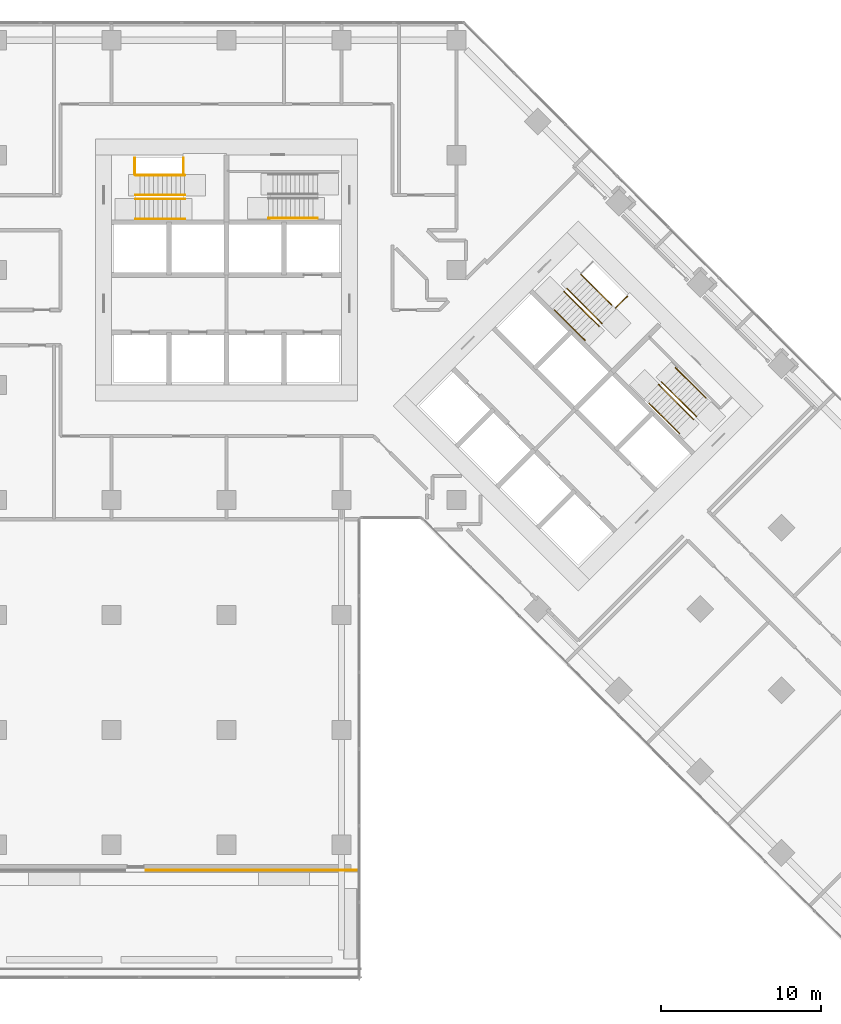
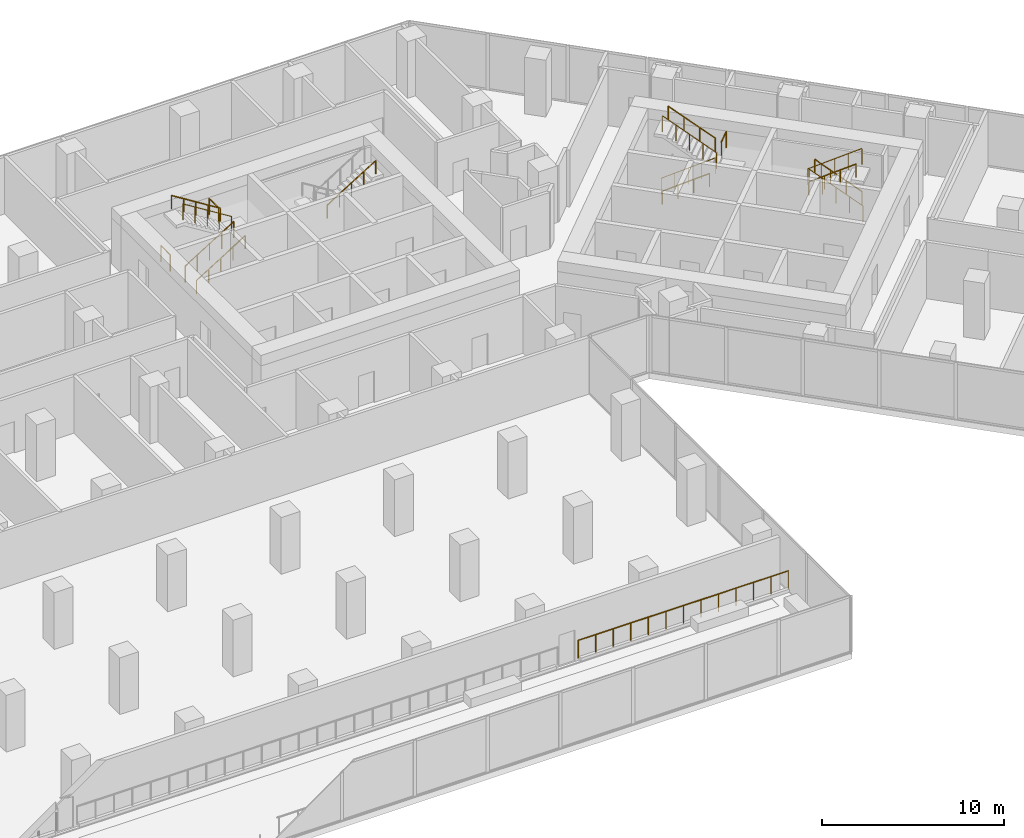
# One storey, part 26 of 27: 17 railings.
"""IFC4 building model written with IfcOpenShell, lengths in metres."""

import ifcopenshell
import ifcopenshell.guid

model = None  # the IFC model being written
_history = None  # IfcOwnerHistory: only IFC2X3 demands one
_inside = {}  # id of a spatial element -> (the spatial element, [elements in it])
_under = {}  # id of a project, library or spatial element -> (it, [spatial elements below it])
_declared = {}  # id of a project -> (the project, [libraries it declares])
_typed = {}  # id of a type object -> (the type object, [elements of that type])
_made_of = {}  # id of a material, layer set ... -> (it, [elements and type objects made of it])


def new_model(schema):
    """Start an empty IFC model of exactly this schema.

    Asked for "IFC4X3", IfcOpenShell would pick the latest addendum, in which some entities
    have other attributes; the version numbers below select the first issue.
    IFC2X3 requires an IfcOwnerHistory on every rooted entity: one is made here for all.
    """
    global model, _history
    if schema == "IFC4X3":
        model = ifcopenshell.file(schema_version=(4, 3, 0, 0))
    else:
        model = ifcopenshell.file(schema=schema)
    _inside.clear()
    _under.clear()
    _declared.clear()
    _typed.clear()
    _made_of.clear()
    _history = None
    if model.schema == "IFC2X3":
        org = make("IfcOrganization", Name="unknown")
        user = make(
            "IfcPersonAndOrganization",
            ThePerson=make("IfcPerson", FamilyName="unknown"),
            TheOrganization=org,
        )
        app = make(
            "IfcApplication",
            ApplicationDeveloper=org,
            Version="unknown",
            ApplicationFullName="unknown",
            ApplicationIdentifier="unknown",
        )
        _history = make(
            "IfcOwnerHistory",
            OwningUser=user,
            OwningApplication=app,
            ChangeAction="ADDED",
            CreationDate=0,
        )
    return model


def make(cls, **values):
    """One entity of the class cls with the attributes given. An attribute that is None is left unset."""
    return model.create_entity(
        cls, **{name: value for name, value in values.items() if value is not None}
    )


def rooted(cls, **values):
    """An entity with a GlobalId (a new one), such as an element, a storey or a relation."""
    return make(cls, GlobalId=ifcopenshell.guid.new(), OwnerHistory=_history, **values)


def si_unit(unit_type, name, prefix=None):
    """IfcSIUnit, for example si_unit("LENGTHUNIT", "METRE", prefix="MILLI")."""
    return make("IfcSIUnit", UnitType=unit_type, Prefix=prefix, Name=name)


def assignment(units):
    """IfcUnitAssignment: the units of a project."""
    return None if units is None else make("IfcUnitAssignment", Units=units)


def point(xyz):
    """IfcCartesianPoint."""
    return None if xyz is None else make("IfcCartesianPoint", Coordinates=xyz)


def direction(xyz):
    """IfcDirection."""
    return None if xyz is None else make("IfcDirection", DirectionRatios=xyz)


def frame(location, z_axis=None, x_axis=None):
    """IfcAxis2Placement3D, a coordinate frame: its origin and axes. An axis left out is left unset."""
    return make(
        "IfcAxis2Placement3D",
        Location=point(location),
        Axis=direction(z_axis),
        RefDirection=direction(x_axis),
    )


def frame_2d(location, x_axis=None):
    """IfcAxis2Placement2D, a coordinate frame in the plane: its origin and x axis."""
    return make(
        "IfcAxis2Placement2D", Location=point(location), RefDirection=direction(x_axis)
    )


def origin():
    """The frame at (0, 0, 0) with its axes left unset."""
    return frame((0.0, 0.0, 0.0))


def origin_2d():
    """The frame at (0, 0) in the plane with its x axis left unset."""
    return frame_2d((0.0, 0.0))


def place(relative_to, where):
    """IfcLocalPlacement: puts the frame where relative to a parent placement (None: the world)."""
    return make(
        "IfcLocalPlacement", PlacementRelTo=relative_to, RelativePlacement=where
    )


def context(
    kind, dimensions, precision=None, world=None, true_north=None, identifier=None
):
    """IfcGeometricRepresentationContext, for example the 3D "Model" context."""
    return make(
        "IfcGeometricRepresentationContext",
        ContextIdentifier=identifier,
        ContextType=kind,
        CoordinateSpaceDimension=dimensions,
        Precision=precision,
        WorldCoordinateSystem=world,
        TrueNorth=true_north,
    )


def subcontext(parent, identifier, kind, view, scale=None):
    """IfcGeometricRepresentationSubContext, for example "Body" below "Model"."""
    return make(
        "IfcGeometricRepresentationSubContext",
        ContextIdentifier=identifier,
        ContextType=kind,
        ParentContext=parent,
        TargetScale=scale,
        TargetView=view,
    )


def project(units=None, contexts=None):
    """IfcProject with its units and contexts."""
    return rooted(
        "IfcProject",
        Name="project",
        RepresentationContexts=contexts,
        UnitsInContext=assignment(units),
    )


def spatial(cls, under=None, at=None, **own):
    """A site, building, storey or space (cls), placed at a placement, below another one or the project."""
    s = rooted(cls, ObjectPlacement=at, **own)
    if under is not None:
        _under.setdefault(under.id(), (under, []))[1].append(s)
    return s


def profile(cls, at=None, kind="AREA", **sizes):
    """A parametric profile (cls). Its sizes go by their IFC names, for example OverallWidth=200.0."""
    return make(cls, ProfileType=kind, Position=at, **sizes)


def circle(**sizes):
    """IfcCircleProfileDef."""
    return profile("IfcCircleProfileDef", **sizes)


def extrude(swept, where, along, depth):
    """IfcExtrudedAreaSolid: the profile swept, set in the frame where, extruded along a direction by depth."""
    return make(
        "IfcExtrudedAreaSolid",
        SweptArea=swept,
        Position=where,
        ExtrudedDirection=direction(along),
        Depth=depth,
    )


def shape(context_of_items, identifier, shape_type, items):
    """IfcShapeRepresentation: the items that make up one representation, for example the "Body"."""
    return make(
        "IfcShapeRepresentation",
        ContextOfItems=context_of_items,
        RepresentationIdentifier=identifier,
        RepresentationType=shape_type,
        Items=items,
    )


def material(Name=None, Category=None):
    """IfcMaterial."""
    return make("IfcMaterial", Name=Name, Category=Category)


def made_of(thing, what):
    """Note that an element or type object is made of a material, layer set ...; save() writes the relation."""
    if what is not None:
        _made_of.setdefault(what.id(), (what, []))[1].append(thing)
    return thing


def type_object(cls, material=None, **own):
    """A type object (cls), such as IfcWallType, which elements share."""
    return made_of(rooted(cls, **own), material)


def element(
    cls,
    number,
    at=None,
    inside=None,
    cuts=None,
    type_object=None,
    material=None,
    context=None,
    identifier="Body",
    shape_type=None,
    held_by="IfcProductDefinitionShape",
    body=None,
    shapes=None,
    **own,
):
    """One element of the class cls, such as IfcWall. Its Tag is "e" and its number.

    at: its placement. inside: the storey or other place that contains it. cuts: it is an
    opening in that element (IfcRelVoidsElement). A single representation is given by context,
    identifier, shape_type and body (its items); several are given by shapes. held_by: the class
    of the entity that holds the representations. save() writes the other relations.
    """
    e = rooted(cls, Tag="e%d" % number, ObjectPlacement=at, **own)
    if body is not None:
        shapes = [shape(context, identifier, shape_type, body)]
    if shapes is not None:
        e.Representation = make(held_by, Representations=shapes)
    if inside is not None:
        _inside.setdefault(inside.id(), (inside, []))[1].append(e)
    if cuts is not None:
        rooted(
            "IfcRelVoidsElement", RelatingBuildingElement=cuts, RelatedOpeningElement=e
        )
    if type_object is not None:
        _typed.setdefault(type_object.id(), (type_object, []))[1].append(e)
    return made_of(e, material)


def aggregate(whole, parts):
    """IfcRelAggregates: a whole, such as a stair, and the parts it consists of."""
    return rooted("IfcRelAggregates", RelatingObject=whole, RelatedObjects=parts)


def save(model, path):
    """Write the relations noted so far, then the file.

    IfcRelAggregates (storeys below a building ...), IfcRelContainedInSpatialStructure (elements
    in a storey), IfcRelDefinesByType, IfcRelAssociatesMaterial and IfcRelDeclares: one each for
    every whole, place, type object, material and project.
    """
    for whole, parts in _under.values():
        aggregate(whole, parts)
    for where, things in _inside.values():
        rooted(
            "IfcRelContainedInSpatialStructure",
            RelatedElements=things,
            RelatingStructure=where,
        )
    for kind, things in _typed.values():
        rooted("IfcRelDefinesByType", RelatedObjects=things, RelatingType=kind)
    for what, things in _made_of.values():
        rooted("IfcRelAssociatesMaterial", RelatedObjects=things, RelatingMaterial=what)
    for by, libraries in _declared.values():
        rooted("IfcRelDeclares", RelatingContext=by, RelatedDefinitions=libraries)
    model.write(path)


model = new_model("IFC4")

# Units and contexts
model_context = context("Model", 3, precision=1e-05, world=origin(), true_north=direction((0.0, 1.0)))
body_context = subcontext(model_context, "Body", "Model", "MODEL_VIEW")
ifc_project = project(units=[si_unit("LENGTHUNIT", "METRE"), si_unit("AREAUNIT", "SQUARE_METRE"), si_unit("VOLUMEUNIT", "CUBIC_METRE"), si_unit("PLANEANGLEUNIT", "RADIAN"), si_unit("MASSUNIT", "GRAM", prefix="KILO")], contexts=[model_context])

# Site, building, storey
site_placement = place(None, origin())
site = spatial("IfcSite", under=ifc_project, at=site_placement, CompositionType="ELEMENT")
building_placement = place(site_placement, origin())
building = spatial("IfcBuilding", under=site, at=building_placement, Name="Windrow Commons", CompositionType="ELEMENT")
storey_placement = place(building_placement, frame((0.0, 0.0, 6.0)))
storey = spatial("IfcBuildingStorey", under=building, at=storey_placement, Name="L01", CompositionType="ELEMENT", Elevation=6.0)

# Railings
ifc_material_1 = material(Name="Steel S355", Category="steel")
railing_type_1 = type_object("IfcRailingType", Name="Core stair guard 1100", PredefinedType="GUARDRAIL", material=ifc_material_1)
railing_1_placement = place(storey_placement, frame((59.1, 62.05, 0.175)))
element("IfcRailing", 1, at=railing_1_placement, inside=storey, type_object=railing_type_1, Name="L01 ST-A1 stair guard 1", PredefinedType="GUARDRAIL", context=body_context, shape_type="SweptSolid", body=[
    extrude(circle(Radius=0.024, at=origin_2d()), frame((0.0, 0.0, 1.076), z_axis=(0.847998304, 0.0, 0.52999894), x_axis=(0.0, 1.0, 0.0)), (0.0, 0.0, 1.0), 3.6321),
    extrude(circle(Radius=0.021, at=origin_2d()), origin(), (0.0, 0.0, 1.0), 1.052),
    extrude(circle(Radius=0.021, at=origin_2d()), frame((0.77, 0.0, 0.4812)), (0.0, 0.0, 1.0), 1.052),
    extrude(circle(Radius=0.021, at=origin_2d()), frame((1.54, 0.0, 0.9625)), (0.0, 0.0, 1.0), 1.052),
    extrude(circle(Radius=0.021, at=origin_2d()), frame((2.31, 0.0, 1.4437)), (0.0, 0.0, 1.0), 1.052),
    extrude(circle(Radius=0.021, at=origin_2d()), frame((3.08, 0.0, 1.925)), (0.0, 0.0, 1.0), 1.052),
])
railing_2_placement = place(storey_placement, frame((62.18, 62.3, 2.275)))
element("IfcRailing", 2, at=railing_2_placement, inside=storey, type_object=railing_type_1, Name="L01 ST-A1 stair guard 2", PredefinedType="GUARDRAIL", context=body_context, shape_type="SweptSolid", body=[
    extrude(circle(Radius=0.024, at=origin_2d()), frame((0.0, 0.0, 1.076), z_axis=(-0.847998304, 0.0, 0.52999894), x_axis=(0.0, -1.0, 0.0)), (0.0, 0.0, 1.0), 3.6321),
    extrude(circle(Radius=0.021, at=origin_2d()), origin(), (0.0, 0.0, 1.0), 1.052),
    extrude(circle(Radius=0.021, at=origin_2d()), frame((-0.77, 0.0, 0.4812)), (0.0, 0.0, 1.0), 1.052),
    extrude(circle(Radius=0.021, at=origin_2d()), frame((-1.54, 0.0, 0.9625)), (0.0, 0.0, 1.0), 1.052),
    extrude(circle(Radius=0.021, at=origin_2d()), frame((-2.31, 0.0, 1.4437)), (0.0, 0.0, 1.0), 1.052),
    extrude(circle(Radius=0.021, at=origin_2d()), frame((-3.08, 0.0, 1.925)), (0.0, 0.0, 1.0), 1.052),
])
for number, where, name in (
    (3, (59.05, 63.6, 0.0), "L01 ST-A1 stair guard 3"),
    (4, (62.11, 63.6, 2.1), "L01 ST-A1 stair guard 4"),
):
    element("IfcRailing", number, at=place(storey_placement, frame(where)), inside=storey, type_object=railing_type_1, Name=name, PredefinedType="GUARDRAIL", context=body_context, shape_type="SweptSolid", body=[
        extrude(circle(Radius=0.024, at=origin_2d()), frame((0.0, 0.0, 1.076), z_axis=(0.0, 1.0, 0.0), x_axis=(-1.0, 0.0, 0.0)), (0.0, 0.0, 1.0), 1.03),
        extrude(circle(Radius=0.021, at=origin_2d()), origin(), (0.0, 0.0, 1.0), 1.052),
        extrude(circle(Radius=0.021, at=origin_2d()), frame((0.0, 1.03, 0.0)), (0.0, 0.0, 1.0), 1.052),
    ])
railing_3_placement = place(storey_placement, frame((85.9529, 56.2669, 0.175)))
element("IfcRailing", 5, at=railing_3_placement, inside=storey, type_object=railing_type_1, Name="L01 ST-B1 stair guard 1", PredefinedType="GUARDRAIL", context=body_context, shape_type="SweptSolid", body=[
    extrude(circle(Radius=0.024, at=origin_2d()), frame((0.0, 0.0, 1.076), z_axis=(0.5996262107, -0.5996262107, 0.5299969951), x_axis=(0.7071067812, 0.7071067812, 0.0)), (0.0, 0.0, 1.0), 3.6321),
    extrude(circle(Radius=0.021, at=origin_2d()), origin(), (0.0, 0.0, 1.0), 1.052),
    extrude(circle(Radius=0.021, at=origin_2d()), frame((0.5445, -0.5445, 0.4812)), (0.0, 0.0, 1.0), 1.052),
    extrude(circle(Radius=0.021, at=origin_2d()), frame((1.0889, -1.089, 0.9625)), (0.0, 0.0, 1.0), 1.052),
    extrude(circle(Radius=0.021, at=origin_2d()), frame((1.6334, -1.6334, 1.4437)), (0.0, 0.0, 1.0), 1.052),
    extrude(circle(Radius=0.021, at=origin_2d()), frame((2.1779, -2.1779, 1.925)), (0.0, 0.0, 1.0), 1.052),
])
railing_4_placement = place(storey_placement, frame((88.3075, 54.2658, 2.275)))
element("IfcRailing", 6, at=railing_4_placement, inside=storey, type_object=railing_type_1, Name="L01 ST-B1 stair guard 2", PredefinedType="GUARDRAIL", context=body_context, shape_type="SweptSolid", body=[
    extrude(circle(Radius=0.024, at=origin_2d()), frame((0.0, 0.0, 1.076), z_axis=(-0.5996262107, 0.5996262107, 0.5299969951), x_axis=(-0.7071067812, -0.7071067812, 0.0)), (0.0, 0.0, 1.0), 3.6321),
    extrude(circle(Radius=0.021, at=origin_2d()), origin(), (0.0, 0.0, 1.0), 1.052),
    extrude(circle(Radius=0.021, at=origin_2d()), frame((-0.5445, 0.5445, 0.4812)), (0.0, 0.0, 1.0), 1.052),
    extrude(circle(Radius=0.021, at=origin_2d()), frame((-1.089, 1.089, 0.9625)), (0.0, 0.0, 1.0), 1.052),
    extrude(circle(Radius=0.021, at=origin_2d()), frame((-1.6334, 1.6334, 1.4437)), (0.0, 0.0, 1.0), 1.052),
    extrude(circle(Radius=0.021, at=origin_2d()), frame((-2.1779, 2.1779, 1.925)), (0.0, 0.0, 1.0), 1.052),
])
railing_5_placement = place(storey_placement, frame((89.1773, 55.2345, 2.1)))
element("IfcRailing", 7, at=railing_5_placement, inside=storey, type_object=railing_type_1, Name="L01 ST-B1 stair guard 4", PredefinedType="GUARDRAIL", context=body_context, shape_type="SweptSolid", body=[
    extrude(circle(Radius=0.024, at=origin_2d()), frame((0.0, 0.0, 1.076), z_axis=(0.7071067812, 0.7071067812, 0.0), x_axis=(-0.7071067812, 0.7071067812, 0.0)), (0.0, 0.0, 1.0), 1.03),
    extrude(circle(Radius=0.021, at=origin_2d()), origin(), (0.0, 0.0, 1.0), 1.052),
    extrude(circle(Radius=0.021, at=origin_2d()), frame((0.7283, 0.7283, 0.0)), (0.0, 0.0, 1.0), 1.052),
])
railing_6_placement = place(storey_placement, frame((94.2296, 48.4215, 0.175)))
element("IfcRailing", 8, at=railing_6_placement, inside=storey, type_object=railing_type_1, Name="L01 ST-B2 stair guard 1", PredefinedType="GUARDRAIL", context=body_context, shape_type="SweptSolid", body=[
    extrude(circle(Radius=0.024, at=origin_2d()), frame((0.0, 0.0, 1.076), z_axis=(-0.5996262107, 0.5996262107, 0.5299969951), x_axis=(-0.7071067812, -0.7071067812, 0.0)), (0.0, 0.0, 1.0), 3.6321),
    extrude(circle(Radius=0.021, at=origin_2d()), origin(), (0.0, 0.0, 1.0), 1.052),
    extrude(circle(Radius=0.021, at=origin_2d()), frame((-0.5445, 0.5445, 0.4812)), (0.0, 0.0, 1.0), 1.052),
    extrude(circle(Radius=0.021, at=origin_2d()), frame((-1.089, 1.089, 0.9625)), (0.0, 0.0, 1.0), 1.052),
    extrude(circle(Radius=0.021, at=origin_2d()), frame((-1.6334, 1.6334, 1.4437)), (0.0, 0.0, 1.0), 1.052),
    extrude(circle(Radius=0.021, at=origin_2d()), frame((-2.1779, 2.1779, 1.925)), (0.0, 0.0, 1.0), 1.052),
])
railing_7_placement = place(storey_placement, frame((91.8749, 50.4226, 2.275)))
element("IfcRailing", 9, at=railing_7_placement, inside=storey, type_object=railing_type_1, Name="L01 ST-B2 stair guard 2", PredefinedType="GUARDRAIL", context=body_context, shape_type="SweptSolid", body=[
    extrude(circle(Radius=0.024, at=origin_2d()), frame((0.0, 0.0, 1.076), z_axis=(0.5996262107, -0.5996262107, 0.5299969951), x_axis=(0.7071067812, 0.7071067812, 0.0)), (0.0, 0.0, 1.0), 3.6321),
    extrude(circle(Radius=0.021, at=origin_2d()), origin(), (0.0, 0.0, 1.0), 1.052),
    extrude(circle(Radius=0.021, at=origin_2d()), frame((0.5445, -0.5445, 0.4812)), (0.0, 0.0, 1.0), 1.052),
    extrude(circle(Radius=0.021, at=origin_2d()), frame((1.089, -1.089, 0.9625)), (0.0, 0.0, 1.0), 1.052),
    extrude(circle(Radius=0.021, at=origin_2d()), frame((1.6334, -1.6334, 1.4437)), (0.0, 0.0, 1.0), 1.052),
    extrude(circle(Radius=0.021, at=origin_2d()), frame((2.1779, -2.1779, 1.925)), (0.0, 0.0, 1.0), 1.052),
])
ifc_material_2 = material(Name="Steel S355", Category="steel")
railing_type_2 = type_object("IfcRailingType", Name="Core stair handrail 900", PredefinedType="HANDRAIL", material=ifc_material_2)
railing_8_placement = place(storey_placement, frame((59.1, 60.8, 0.175)))
element("IfcRailing", 10, at=railing_8_placement, inside=storey, type_object=railing_type_2, Name="L01 ST-A1 stair handrail 1", PredefinedType="HANDRAIL", context=body_context, shape_type="SweptSolid", body=[
    extrude(circle(Radius=0.024, at=origin_2d()), frame((0.0, 0.0, 0.876), z_axis=(0.847998304, 0.0, 0.52999894), x_axis=(0.0, 1.0, 0.0)), (0.0, 0.0, 1.0), 3.6321),
    extrude(circle(Radius=0.021, at=origin_2d()), origin(), (0.0, 0.0, 1.0), 0.852),
    extrude(circle(Radius=0.021, at=origin_2d()), frame((0.77, 0.0, 0.4812)), (0.0, 0.0, 1.0), 0.852),
    extrude(circle(Radius=0.021, at=origin_2d()), frame((1.54, 0.0, 0.9625)), (0.0, 0.0, 1.0), 0.852),
    extrude(circle(Radius=0.021, at=origin_2d()), frame((2.31, 0.0, 1.4437)), (0.0, 0.0, 1.0), 0.852),
    extrude(circle(Radius=0.021, at=origin_2d()), frame((3.08, 0.0, 1.925)), (0.0, 0.0, 1.0), 0.852),
])
railing_9_placement = place(storey_placement, frame((62.18, 63.55, 2.275)))
element("IfcRailing", 11, at=railing_9_placement, inside=storey, type_object=railing_type_2, Name="L01 ST-A1 stair handrail 2", PredefinedType="HANDRAIL", context=body_context, shape_type="SweptSolid", body=[
    extrude(circle(Radius=0.024, at=origin_2d()), frame((0.0, 0.0, 0.876), z_axis=(-0.847998304, 0.0, 0.52999894), x_axis=(0.0, -1.0, 0.0)), (0.0, 0.0, 1.0), 3.6321),
    extrude(circle(Radius=0.021, at=origin_2d()), origin(), (0.0, 0.0, 1.0), 0.852),
    extrude(circle(Radius=0.021, at=origin_2d()), frame((-0.77, 0.0, 0.4812)), (0.0, 0.0, 1.0), 0.852),
    extrude(circle(Radius=0.021, at=origin_2d()), frame((-1.54, 0.0, 0.9625)), (0.0, 0.0, 1.0), 0.852),
    extrude(circle(Radius=0.021, at=origin_2d()), frame((-2.31, 0.0, 1.4437)), (0.0, 0.0, 1.0), 0.852),
    extrude(circle(Radius=0.021, at=origin_2d()), frame((-3.08, 0.0, 1.925)), (0.0, 0.0, 1.0), 0.852),
])
railing_10_placement = place(storey_placement, frame((67.42, 60.855, 2.275)))
element("IfcRailing", 12, at=railing_10_placement, inside=storey, type_object=railing_type_2, Name="L01 ST-A2 stair handrail 2", PredefinedType="HANDRAIL", context=body_context, shape_type="SweptSolid", body=[
    extrude(circle(Radius=0.024, at=origin_2d()), frame((0.0, 0.0, 0.876), z_axis=(0.847998304, 0.0, 0.52999894), x_axis=(0.0, 1.0, 0.0)), (0.0, 0.0, 1.0), 3.6321),
    extrude(circle(Radius=0.021, at=origin_2d()), origin(), (0.0, 0.0, 1.0), 0.852),
    extrude(circle(Radius=0.021, at=origin_2d()), frame((0.77, 0.0, 0.4812)), (0.0, 0.0, 1.0), 0.852),
    extrude(circle(Radius=0.021, at=origin_2d()), frame((1.54, 0.0, 0.9625)), (0.0, 0.0, 1.0), 0.852),
    extrude(circle(Radius=0.021, at=origin_2d()), frame((2.31, 0.0, 1.4437)), (0.0, 0.0, 1.0), 0.852),
    extrude(circle(Radius=0.021, at=origin_2d()), frame((3.08, 0.0, 1.925)), (0.0, 0.0, 1.0), 0.852),
])
railing_11_placement = place(storey_placement, frame((85.3518, 55.1001, 0.425)))
element("IfcRailing", 13, at=railing_11_placement, inside=storey, type_object=railing_type_2, Name="L01 ST-B1 stair handrail 1", PredefinedType="HANDRAIL", context=body_context, shape_type="SweptSolid", body=[
    extrude(circle(Radius=0.024, at=origin_2d()), frame((0.0, 0.0, 0.876), z_axis=(0.599641512, -0.5996098703, 0.5299981703), x_axis=(0.7070881243, 0.7071254376, 0.0)), (0.0, 0.0, 1.0), 3.1604),
    extrude(circle(Radius=0.021, at=origin_2d()), origin(), (0.0, 0.0, 1.0), 0.852),
    extrude(circle(Radius=0.021, at=origin_2d()), frame((0.6317, -0.6317, 0.5583)), (0.0, 0.0, 1.0), 0.852),
    extrude(circle(Radius=0.021, at=origin_2d()), frame((1.2634, -1.2633, 1.1167)), (0.0, 0.0, 1.0), 0.852),
    extrude(circle(Radius=0.021, at=origin_2d()), frame((1.8951, -1.895, 1.675)), (0.0, 0.0, 1.0), 0.852),
])
for number, where, name in (
    (14, (88.9086, 55.4325, 2.525), "L01 ST-B1 stair handrail 2"),
    (15, (94.8306, 49.5883, 0.425), "L01 ST-B2 stair handrail 1"),
):
    element("IfcRailing", number, at=place(storey_placement, frame(where)), inside=storey, type_object=railing_type_2, Name=name, PredefinedType="HANDRAIL", context=body_context, shape_type="SweptSolid", body=[
        extrude(circle(Radius=0.024, at=origin_2d()), frame((0.0, 0.0, 0.876), z_axis=(-0.599641512, 0.5996098703, 0.5299981703), x_axis=(-0.7070881243, -0.7071254376, 0.0)), (0.0, 0.0, 1.0), 3.1604),
        extrude(circle(Radius=0.021, at=origin_2d()), origin(), (0.0, 0.0, 1.0), 0.852),
        extrude(circle(Radius=0.021, at=origin_2d()), frame((-0.6317, 0.6317, 0.5583)), (0.0, 0.0, 1.0), 0.852),
        extrude(circle(Radius=0.021, at=origin_2d()), frame((-1.2634, 1.2633, 1.1167)), (0.0, 0.0, 1.0), 0.852),
        extrude(circle(Radius=0.021, at=origin_2d()), frame((-1.8951, 1.895, 1.675)), (0.0, 0.0, 1.0), 0.852),
    ])
railing_12_placement = place(storey_placement, frame((91.2738, 49.2559, 2.525)))
element("IfcRailing", 16, at=railing_12_placement, inside=storey, type_object=railing_type_2, Name="L01 ST-B2 stair handrail 2", PredefinedType="HANDRAIL", context=body_context, shape_type="SweptSolid", body=[
    extrude(circle(Radius=0.024, at=origin_2d()), frame((0.0, 0.0, 0.876), z_axis=(0.599641512, -0.5996098703, 0.5299981703), x_axis=(0.7070881243, 0.7071254376, 0.0)), (0.0, 0.0, 1.0), 3.1604),
    extrude(circle(Radius=0.021, at=origin_2d()), origin(), (0.0, 0.0, 1.0), 0.852),
    extrude(circle(Radius=0.021, at=origin_2d()), frame((0.6317, -0.6317, 0.5583)), (0.0, 0.0, 1.0), 0.852),
    extrude(circle(Radius=0.021, at=origin_2d()), frame((1.2634, -1.2633, 1.1167)), (0.0, 0.0, 1.0), 0.852),
    extrude(circle(Radius=0.021, at=origin_2d()), frame((1.8951, -1.895, 1.675)), (0.0, 0.0, 1.0), 0.852),
])
ifc_material_3 = material(Name="Stainless steel S316 balustrade with toughened glass infill", Category="steel")
railing_type_3 = type_object("IfcRailingType", Name="Terrace guard 1200 podium", PredefinedType="BALUSTRADE", material=ifc_material_3)
railing_13_placement = place(storey_placement, frame((73.1, 20.0, 0.25)))
element("IfcRailing", 17, at=railing_13_placement, inside=storey, type_object=railing_type_3, Name="Guard TR-L01-1.1", PredefinedType="BALUSTRADE", context=body_context, shape_type="SweptSolid", body=[
    extrude(circle(Radius=0.025, at=origin_2d()), frame((0.0, 0.0, 1.175), z_axis=(-1.0, 0.0, 0.0), x_axis=(0.0, -1.0, 0.0)), (0.0, 0.0, 1.0), 13.35),
    extrude(circle(Radius=0.02, at=origin_2d()), origin(), (0.0, 0.0, 1.0), 1.15),
    extrude(circle(Radius=0.02, at=origin_2d()), frame((-1.1125, 0.0, 0.0)), (0.0, 0.0, 1.0), 1.15),
    extrude(circle(Radius=0.02, at=origin_2d()), frame((-2.225, 0.0, 0.0)), (0.0, 0.0, 1.0), 1.15),
    extrude(circle(Radius=0.02, at=origin_2d()), frame((-3.3375, 0.0, 0.0)), (0.0, 0.0, 1.0), 1.15),
    extrude(circle(Radius=0.02, at=origin_2d()), frame((-4.45, 0.0, 0.0)), (0.0, 0.0, 1.0), 1.15),
    extrude(circle(Radius=0.02, at=origin_2d()), frame((-5.5625, 0.0, 0.0)), (0.0, 0.0, 1.0), 1.15),
    extrude(circle(Radius=0.02, at=origin_2d()), frame((-6.675, 0.0, 0.0)), (0.0, 0.0, 1.0), 1.15),
    extrude(circle(Radius=0.02, at=origin_2d()), frame((-7.7875, 0.0, 0.0)), (0.0, 0.0, 1.0), 1.15),
    extrude(circle(Radius=0.02, at=origin_2d()), frame((-8.9, 0.0, 0.0)), (0.0, 0.0, 1.0), 1.15),
    extrude(circle(Radius=0.02, at=origin_2d()), frame((-10.0125, 0.0, 0.0)), (0.0, 0.0, 1.0), 1.15),
    extrude(circle(Radius=0.02, at=origin_2d()), frame((-11.125, 0.0, 0.0)), (0.0, 0.0, 1.0), 1.15),
    extrude(circle(Radius=0.02, at=origin_2d()), frame((-12.2375, 0.0, 0.0)), (0.0, 0.0, 1.0), 1.15),
    extrude(circle(Radius=0.02, at=origin_2d()), frame((-13.35, 0.0, 0.0)), (0.0, 0.0, 1.0), 1.15),
])

save(model, "model.ifc")
